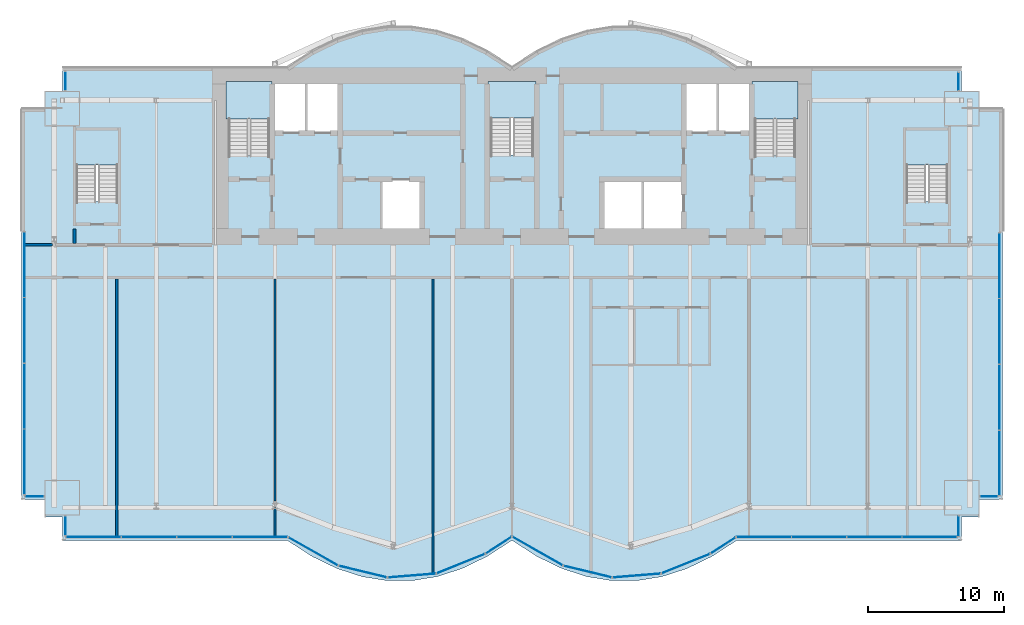
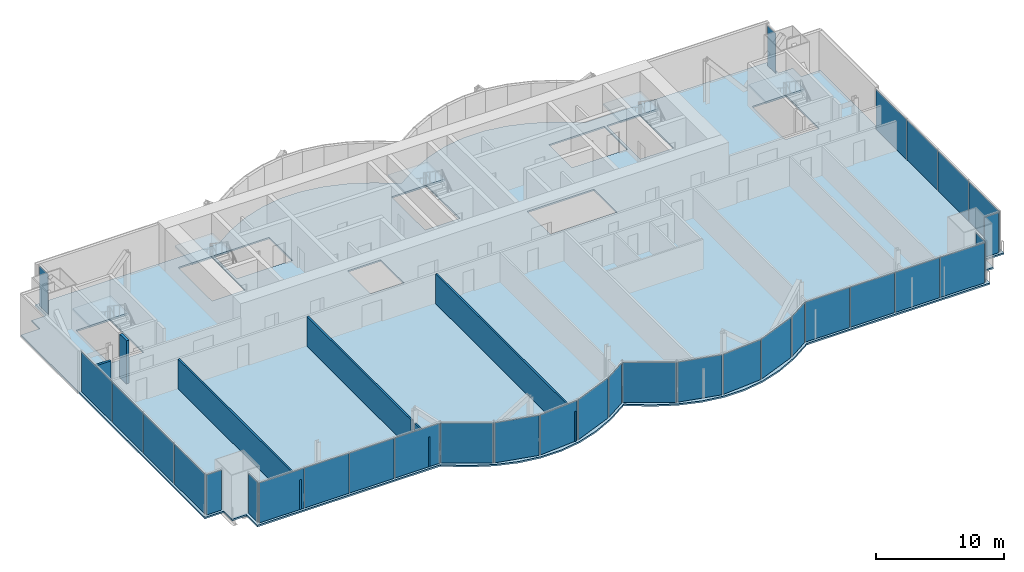
# One storey, part 14 of 21: 32 plates, 6 slabs, 6 walls, 17 elements without a shape of their own.
"""IFC4 building model written with IfcOpenShell, lengths in metres."""

import ifcopenshell
import ifcopenshell.guid

model = None  # the IFC model being written
_history = None  # IfcOwnerHistory: only IFC2X3 demands one
_inside = {}  # id of a spatial element -> (the spatial element, [elements in it])
_under = {}  # id of a project, library or spatial element -> (it, [spatial elements below it])
_declared = {}  # id of a project -> (the project, [libraries it declares])
_typed = {}  # id of a type object -> (the type object, [elements of that type])
_made_of = {}  # id of a material, layer set ... -> (it, [elements and type objects made of it])


def new_model(schema):
    """Start an empty IFC model of exactly this schema.

    Asked for "IFC4X3", IfcOpenShell would pick the latest addendum, in which some entities
    have other attributes; the version numbers below select the first issue.
    IFC2X3 requires an IfcOwnerHistory on every rooted entity: one is made here for all.
    """
    global model, _history
    if schema == "IFC4X3":
        model = ifcopenshell.file(schema_version=(4, 3, 0, 0))
    else:
        model = ifcopenshell.file(schema=schema)
    _inside.clear()
    _under.clear()
    _declared.clear()
    _typed.clear()
    _made_of.clear()
    _history = None
    if model.schema == "IFC2X3":
        org = make("IfcOrganization", Name="unknown")
        user = make(
            "IfcPersonAndOrganization",
            ThePerson=make("IfcPerson", FamilyName="unknown"),
            TheOrganization=org,
        )
        app = make(
            "IfcApplication",
            ApplicationDeveloper=org,
            Version="unknown",
            ApplicationFullName="unknown",
            ApplicationIdentifier="unknown",
        )
        _history = make(
            "IfcOwnerHistory",
            OwningUser=user,
            OwningApplication=app,
            ChangeAction="ADDED",
            CreationDate=0,
        )
    return model


def make(cls, **values):
    """One entity of the class cls with the attributes given. An attribute that is None is left unset."""
    return model.create_entity(
        cls, **{name: value for name, value in values.items() if value is not None}
    )


def rooted(cls, **values):
    """An entity with a GlobalId (a new one), such as an element, a storey or a relation."""
    return make(cls, GlobalId=ifcopenshell.guid.new(), OwnerHistory=_history, **values)


def si_unit(unit_type, name, prefix=None):
    """IfcSIUnit, for example si_unit("LENGTHUNIT", "METRE", prefix="MILLI")."""
    return make("IfcSIUnit", UnitType=unit_type, Prefix=prefix, Name=name)


def assignment(units):
    """IfcUnitAssignment: the units of a project."""
    return None if units is None else make("IfcUnitAssignment", Units=units)


def point(xyz):
    """IfcCartesianPoint."""
    return None if xyz is None else make("IfcCartesianPoint", Coordinates=xyz)


def direction(xyz):
    """IfcDirection."""
    return None if xyz is None else make("IfcDirection", DirectionRatios=xyz)


def frame(location, z_axis=None, x_axis=None):
    """IfcAxis2Placement3D, a coordinate frame: its origin and axes. An axis left out is left unset."""
    return make(
        "IfcAxis2Placement3D",
        Location=point(location),
        Axis=direction(z_axis),
        RefDirection=direction(x_axis),
    )


def frame_2d(location, x_axis=None):
    """IfcAxis2Placement2D, a coordinate frame in the plane: its origin and x axis."""
    return make(
        "IfcAxis2Placement2D", Location=point(location), RefDirection=direction(x_axis)
    )


def origin():
    """The frame at (0, 0, 0) with its axes left unset."""
    return frame((0.0, 0.0, 0.0))


def origin_2d():
    """The frame at (0, 0) in the plane with its x axis left unset."""
    return frame_2d((0.0, 0.0))


def place(relative_to, where):
    """IfcLocalPlacement: puts the frame where relative to a parent placement (None: the world)."""
    return make(
        "IfcLocalPlacement", PlacementRelTo=relative_to, RelativePlacement=where
    )


def context(
    kind, dimensions, precision=None, world=None, true_north=None, identifier=None
):
    """IfcGeometricRepresentationContext, for example the 3D "Model" context."""
    return make(
        "IfcGeometricRepresentationContext",
        ContextIdentifier=identifier,
        ContextType=kind,
        CoordinateSpaceDimension=dimensions,
        Precision=precision,
        WorldCoordinateSystem=world,
        TrueNorth=true_north,
    )


def subcontext(parent, identifier, kind, view, scale=None):
    """IfcGeometricRepresentationSubContext, for example "Body" below "Model"."""
    return make(
        "IfcGeometricRepresentationSubContext",
        ContextIdentifier=identifier,
        ContextType=kind,
        ParentContext=parent,
        TargetScale=scale,
        TargetView=view,
    )


def project(units=None, contexts=None):
    """IfcProject with its units and contexts."""
    return rooted(
        "IfcProject",
        Name="project",
        RepresentationContexts=contexts,
        UnitsInContext=assignment(units),
    )


def spatial(cls, under=None, at=None, **own):
    """A site, building, storey or space (cls), placed at a placement, below another one or the project."""
    s = rooted(cls, ObjectPlacement=at, **own)
    if under is not None:
        _under.setdefault(under.id(), (under, []))[1].append(s)
    return s


def polyline(points):
    """IfcPolyline through the points."""
    return make("IfcPolyline", Points=[point(p) for p in points])


def profile(cls, at=None, kind="AREA", **sizes):
    """A parametric profile (cls). Its sizes go by their IFC names, for example OverallWidth=200.0."""
    return make(cls, ProfileType=kind, Position=at, **sizes)


def rectangle(**sizes):
    """IfcRectangleProfileDef."""
    return profile("IfcRectangleProfileDef", **sizes)


def outline(outer, holes=None, kind="AREA"):
    """IfcArbitraryClosedProfileDef: a profile drawn as a closed curve; with holes, ...WithVoids."""
    if holes is None:
        return make("IfcArbitraryClosedProfileDef", ProfileType=kind, OuterCurve=outer)
    return make(
        "IfcArbitraryProfileDefWithVoids",
        ProfileType=kind,
        OuterCurve=outer,
        InnerCurves=holes,
    )


def extrude(swept, where, along, depth):
    """IfcExtrudedAreaSolid: the profile swept, set in the frame where, extruded along a direction by depth."""
    return make(
        "IfcExtrudedAreaSolid",
        SweptArea=swept,
        Position=where,
        ExtrudedDirection=direction(along),
        Depth=depth,
    )


def shape(context_of_items, identifier, shape_type, items):
    """IfcShapeRepresentation: the items that make up one representation, for example the "Body"."""
    return make(
        "IfcShapeRepresentation",
        ContextOfItems=context_of_items,
        RepresentationIdentifier=identifier,
        RepresentationType=shape_type,
        Items=items,
    )


def material(Name=None, Category=None):
    """IfcMaterial."""
    return make("IfcMaterial", Name=Name, Category=Category)


def layer(
    of_material, thickness, ventilated=None, Name=None, Category=None, Priority=None
):
    """IfcMaterialLayer: one layer of a wall or slab, of a material (None: an air gap)."""
    return make(
        "IfcMaterialLayer",
        Material=of_material,
        LayerThickness=thickness,
        IsVentilated=ventilated,
        Name=Name,
        Category=Category,
        Priority=Priority,
    )


def layer_set(layers, Name=None):
    """IfcMaterialLayerSet."""
    return make("IfcMaterialLayerSet", MaterialLayers=layers, LayerSetName=Name)


def made_of(thing, what):
    """Note that an element or type object is made of a material, layer set ...; save() writes the relation."""
    if what is not None:
        _made_of.setdefault(what.id(), (what, []))[1].append(thing)
    return thing


def type_object(cls, material=None, **own):
    """A type object (cls), such as IfcWallType, which elements share."""
    return made_of(rooted(cls, **own), material)


def element(
    cls,
    number,
    at=None,
    inside=None,
    cuts=None,
    type_object=None,
    material=None,
    context=None,
    identifier="Body",
    shape_type=None,
    held_by="IfcProductDefinitionShape",
    body=None,
    shapes=None,
    **own,
):
    """One element of the class cls, such as IfcWall. Its Tag is "e" and its number.

    at: its placement. inside: the storey or other place that contains it. cuts: it is an
    opening in that element (IfcRelVoidsElement). A single representation is given by context,
    identifier, shape_type and body (its items); several are given by shapes. held_by: the class
    of the entity that holds the representations. save() writes the other relations.
    """
    e = rooted(cls, Tag="e%d" % number, ObjectPlacement=at, **own)
    if body is not None:
        shapes = [shape(context, identifier, shape_type, body)]
    if shapes is not None:
        e.Representation = make(held_by, Representations=shapes)
    if inside is not None:
        _inside.setdefault(inside.id(), (inside, []))[1].append(e)
    if cuts is not None:
        rooted(
            "IfcRelVoidsElement", RelatingBuildingElement=cuts, RelatedOpeningElement=e
        )
    if type_object is not None:
        _typed.setdefault(type_object.id(), (type_object, []))[1].append(e)
    return made_of(e, material)


def aggregate(whole, parts):
    """IfcRelAggregates: a whole, such as a stair, and the parts it consists of."""
    return rooted("IfcRelAggregates", RelatingObject=whole, RelatedObjects=parts)


def save(model, path):
    """Write the relations noted so far, then the file.

    IfcRelAggregates (storeys below a building ...), IfcRelContainedInSpatialStructure (elements
    in a storey), IfcRelDefinesByType, IfcRelAssociatesMaterial and IfcRelDeclares: one each for
    every whole, place, type object, material and project.
    """
    for whole, parts in _under.values():
        aggregate(whole, parts)
    for where, things in _inside.values():
        rooted(
            "IfcRelContainedInSpatialStructure",
            RelatedElements=things,
            RelatingStructure=where,
        )
    for kind, things in _typed.values():
        rooted("IfcRelDefinesByType", RelatedObjects=things, RelatingType=kind)
    for what, things in _made_of.values():
        rooted("IfcRelAssociatesMaterial", RelatedObjects=things, RelatingMaterial=what)
    for by, libraries in _declared.values():
        rooted("IfcRelDeclares", RelatingContext=by, RelatedDefinitions=libraries)
    model.write(path)


model = new_model("IFC4")

# Units and contexts
model_context = context("Model", 3, precision=1e-05, world=origin(), true_north=direction((0.0, 1.0)))
body_context = subcontext(model_context, "Body", "Model", "MODEL_VIEW")
ifc_project = project(units=[si_unit("LENGTHUNIT", "METRE"), si_unit("AREAUNIT", "SQUARE_METRE"), si_unit("VOLUMEUNIT", "CUBIC_METRE"), si_unit("PLANEANGLEUNIT", "RADIAN"), si_unit("MASSUNIT", "GRAM", prefix="KILO")], contexts=[model_context])

# Site, building, storey
site_placement = place(None, origin())
site = spatial("IfcSite", under=ifc_project, at=site_placement, CompositionType="ELEMENT")
building_placement = place(site_placement, origin())
building = spatial("IfcBuilding", under=site, at=building_placement, Name="Bicima Exchange Tower", CompositionType="ELEMENT")
storey_placement = place(building_placement, frame((0.0, 0.0, 165.0)))
storey = spatial("IfcBuildingStorey", under=building, at=storey_placement, Name="L36", CompositionType="ELEMENT", Elevation=165.0)

# Slab
ifc_material_1 = material(Name="Concrete C40/50", Category="concrete")
ifc_layer_1 = layer(ifc_material_1, 0.14990234375)
ifc_layer_set_1 = layer_set([ifc_layer_1], Name="Concrete C40/50")
slab_type_1 = type_object("IfcSlabType", Name="Composite floor slab 150", PredefinedType="FLOOR", material=ifc_layer_set_1)
slab_1_placement = place(storey_placement, frame((0.0, 0.0, -0.14990234375)))
element("IfcSlab", 1, at=slab_1_placement, inside=storey, type_object=slab_type_1, Name="Floor slab", PredefinedType="FLOOR", context=body_context, shape_type="SweptSolid", body=[
    extrude(outline(polyline([(-36.0, -31.679931640625), (-36.0, -3.0), (-34.300048828125, -3.0), (-34.300048828125, -1.699951171875), (-33.0, -1.699951171875), (-33.0, 0.0), (-16.5, 0.0), (-14.666748046875, 1.185302734375), (-12.833251953125, 2.07421875), (-11.0, 2.666748046875), (-9.166748046875, 2.962890625), (-7.333251953125, 2.962890625), (-5.5, 2.666748046875), (-3.666748046875, 2.07421875), (-1.833251953125, 1.185302734375), (0.0, 0.0), (1.833251953125, 1.185302734375), (3.666748046875, 2.07421875), (5.5, 2.666748046875), (7.333251953125, 2.962890625), (9.166748046875, 2.962890625), (11.0, 2.666748046875), (12.833251953125, 2.07421875), (14.666748046875, 1.185302734375), (16.5, 0.0), (33.0, 0.0), (33.0, -1.699951171875), (34.300048828125, -1.699951171875), (34.300048828125, -3.0), (36.0, -3.0), (36.0, -31.679931640625), (34.300048828125, -31.679931640625), (34.300048828125, -32.97998046875), (33.0, -32.97998046875), (33.0, -34.679931640625), (16.5, -34.679931640625), (14.666748046875, -35.865234375), (12.833251953125, -36.754150390625), (11.0, -37.3466796875), (9.166748046875, -37.64306640625), (7.333251953125, -37.64306640625), (5.5, -37.3466796875), (3.666748046875, -36.754150390625), (1.833251953125, -35.865234375), (0.0, -34.679931640625), (-1.833251953125, -35.865234375), (-3.666748046875, -36.754150390625), (-5.5, -37.3466796875), (-7.333251953125, -37.64306640625), (-9.166748046875, -37.64306640625), (-11.0, -37.3466796875), (-12.833251953125, -36.754150390625), (-14.666748046875, -35.865234375), (-16.5, -34.679931640625), (-33.0, -34.679931640625), (-33.0, -32.97998046875), (-34.300048828125, -32.97998046875), (-34.300048828125, -31.679931640625), (-36.0, -31.679931640625)]), holes=[polyline([(-6.60009765625, -11.800048828125), (-6.60009765625, -8.199951171875), (-9.60009765625, -8.199951171875), (-9.60009765625, -11.800048828125), (-6.60009765625, -11.800048828125)]), polyline([(-31.97509765625, -9.824951171875), (-28.925048828125, -9.824951171875), (-28.925048828125, -4.625), (-31.97509765625, -4.625), (-31.97509765625, -9.824951171875)]), polyline([(-20.800048828125, -6.449951171875), (-17.800048828125, -6.449951171875), (-17.800048828125, -1.199951171875), (-20.800048828125, -1.199951171875), (-20.800048828125, -6.449951171875)]), polyline([(1.574951171875, -6.39990234375), (1.574951171875, -1.199951171875), (-1.574951171875, -1.199951171875), (-1.574951171875, -6.39990234375), (1.574951171875, -6.39990234375)]), polyline([(-12.60009765625, -4.800048828125), (-12.60009765625, -1.199951171875), (-15.10009765625, -1.199951171875), (-17.60009765625, -1.199951171875), (-17.60009765625, -4.800048828125), (-15.10009765625, -4.800048828125), (-12.60009765625, -4.800048828125)]), polyline([(12.60009765625, -8.199951171875), (9.60009765625, -8.199951171875), (6.60009765625, -8.199951171875), (6.60009765625, -11.800048828125), (9.60009765625, -11.800048828125), (12.60009765625, -11.800048828125), (12.60009765625, -8.199951171875)]), polyline([(28.925048828125, -9.824951171875), (31.97509765625, -9.824951171875), (31.97509765625, -4.625), (28.925048828125, -4.625), (28.925048828125, -9.824951171875)]), polyline([(20.800048828125, -6.449951171875), (20.800048828125, -1.199951171875), (17.800048828125, -1.199951171875), (17.800048828125, -6.449951171875), (20.800048828125, -6.449951171875)]), polyline([(17.60009765625, -4.800048828125), (17.60009765625, -1.199951171875), (15.10009765625, -1.199951171875), (12.60009765625, -1.199951171875), (12.60009765625, -4.800048828125), (15.10009765625, -4.800048828125), (17.60009765625, -4.800048828125)])]), origin(), (0.0, 0.0, 1.0), 0.14990234375),
])

# Curtain wall, plates
ifc_material_2 = material(Name="Anodised bronze aluminium", Category="aluminium")
curtain_wall_type_1 = type_object("IfcCurtainWallType", Name="End face glass wall", PredefinedType="NOTDEFINED", material=ifc_material_2)
curtain_wall_1_placement = place(storey_placement, origin())
curtain_wall_1 = element("IfcCurtainWall", 2, at=curtain_wall_1_placement, inside=storey, type_object=curtain_wall_type_1, Name="End face glass wall L36 run 2", PredefinedType="NOTDEFINED")
ifc_material_3 = material(Name="Bronze tinted glass", Category="glass")
ifc_layer_2 = layer(ifc_material_3, 0.031982421875)
ifc_layer_set_2 = layer_set([ifc_layer_2], Name="Bronze tinted glass")
plate_type_1 = type_object("IfcPlateType", Name="End face glass wall glass panel 32", PredefinedType="CURTAIN_PANEL", material=ifc_layer_set_2)
plate_1_placement = place(storey_placement, frame((-35.77001953125, -24.098876953125, 0.0), z_axis=(0.0, 0.0, 1.0), x_axis=(0.0, -1.0, 0.0)))
plate_1 = element("IfcPlate", 3, at=plate_1_placement, type_object=plate_type_1, Name="End face glass wall panel 3.1", PredefinedType="CURTAIN_PANEL", context=body_context, shape_type="SweptSolid", body=[
    extrude(rectangle(XDim=4.767578125, YDim=0.031982421875, at=origin_2d()), origin(), (0.0, 0.0, 1.0), 3.81005859375),
])
plate_2_placement = place(storey_placement, frame((-35.77001953125, -28.92626953125, 0.0), z_axis=(0.0, 0.0, 1.0), x_axis=(0.0, -1.0, 0.0)))
plate_2 = element("IfcPlate", 4, at=plate_2_placement, type_object=plate_type_1, Name="End face glass wall panel 4.1", PredefinedType="CURTAIN_PANEL", context=body_context, shape_type="SweptSolid", body=[
    extrude(rectangle(XDim=4.767578125, YDim=0.031982421875, at=origin_2d()), origin(), (0.0, 0.0, 1.0), 3.81005859375),
])

curtain_wall_2_placement = place(storey_placement, origin())
curtain_wall_2 = element("IfcCurtainWall", 5, at=curtain_wall_2_placement, inside=storey, type_object=curtain_wall_type_1, Name="End face glass wall L36 run 19", PredefinedType="NOTDEFINED")
plate_3_placement = place(storey_placement, frame((35.77001953125, -29.00634765625, 0.0), z_axis=(0.0, 0.0, 1.0), x_axis=(0.0, 1.0, 0.0)))
plate_3 = element("IfcPlate", 6, at=plate_3_placement, type_object=plate_type_1, Name="End face glass wall panel 1.1", PredefinedType="CURTAIN_PANEL", context=body_context, shape_type="SweptSolid", body=[
    extrude(rectangle(XDim=4.767578125, YDim=0.031982421875, at=origin_2d()), origin(), (0.0, 0.0, 1.0), 3.81005859375),
])
plate_4_placement = place(storey_placement, frame((35.77001953125, -24.1787109375, 0.0), z_axis=(0.0, 0.0, 1.0), x_axis=(0.0, 1.0, 0.0)))
plate_4 = element("IfcPlate", 7, at=plate_4_placement, type_object=plate_type_1, Name="End face glass wall panel 2.1", PredefinedType="CURTAIN_PANEL", context=body_context, shape_type="SweptSolid", body=[
    extrude(rectangle(XDim=4.767578125, YDim=0.031982421875, at=origin_2d()), origin(), (0.0, 0.0, 1.0), 3.81005859375),
])

# Plate
ifc_material_4 = material(Name="Bronze anodised aluminium", Category="aluminium")
ifc_layer_3 = layer(ifc_material_4, 0.031982421875)
ifc_layer_set_3 = layer_set([ifc_layer_3], Name="Bronze anodised aluminium")
plate_type_2 = type_object("IfcPlateType", Name="End face glass wall spandrel panel 32", PredefinedType="CURTAIN_PANEL", material=ifc_layer_set_3)
plate_5_placement = place(storey_placement, frame((-35.77001953125, -14.443603515625, 0.0), z_axis=(0.0, 0.0, 1.0), x_axis=(0.0, -1.0, 0.0)))
plate_5 = element("IfcPlate", 8, at=plate_5_placement, type_object=plate_type_2, Name="End face spandrel wall panel 1.1", PredefinedType="CURTAIN_PANEL", context=body_context, shape_type="SweptSolid", body=[
    extrude(rectangle(XDim=4.767578125, YDim=0.031982421875, at=origin_2d()), origin(), (0.0, 0.0, 1.0), 3.81005859375),
])

plate_6_placement = place(storey_placement, frame((-35.77001953125, -19.271240234375, 0.0), z_axis=(0.0, 0.0, 1.0), x_axis=(0.0, -1.0, 0.0)))
plate_6 = element("IfcPlate", 9, at=plate_6_placement, type_object=plate_type_2, Name="End face spandrel wall panel 2.1", PredefinedType="CURTAIN_PANEL", context=body_context, shape_type="SweptSolid", body=[
    extrude(rectangle(XDim=4.767578125, YDim=0.031982421875, at=origin_2d()), origin(), (0.0, 0.0, 1.0), 3.81005859375),
])

aggregate(curtain_wall_1, [plate_5, plate_6, plate_1, plate_2])

plate_7_placement = place(storey_placement, frame((35.77001953125, -19.351318359375, 0.0), z_axis=(0.0, 0.0, 1.0), x_axis=(0.0, 1.0, 0.0)))
plate_7 = element("IfcPlate", 10, at=plate_7_placement, type_object=plate_type_2, Name="End face spandrel wall panel 3.1", PredefinedType="CURTAIN_PANEL", context=body_context, shape_type="SweptSolid", body=[
    extrude(rectangle(XDim=4.767578125, YDim=0.031982421875, at=origin_2d()), origin(), (0.0, 0.0, 1.0), 3.81005859375),
])

plate_8_placement = place(storey_placement, frame((35.77001953125, -14.523681640625, 0.0), z_axis=(0.0, 0.0, 1.0), x_axis=(0.0, 1.0, 0.0)))
plate_8 = element("IfcPlate", 11, at=plate_8_placement, type_object=plate_type_2, Name="End face spandrel wall panel 4.1", PredefinedType="CURTAIN_PANEL", context=body_context, shape_type="SweptSolid", body=[
    extrude(rectangle(XDim=4.767578125, YDim=0.031982421875, at=origin_2d()), origin(), (0.0, 0.0, 1.0), 3.81005859375),
])

aggregate(curtain_wall_2, [plate_3, plate_4, plate_7, plate_8])

# Curtain wall, plate
curtain_wall_type_2 = type_object("IfcCurtainWallType", Name="Front glass wall", PredefinedType="NOTDEFINED", material=ifc_material_2)
curtain_wall_3_placement = place(storey_placement, origin())
curtain_wall_3 = element("IfcCurtainWall", 12, at=curtain_wall_3_placement, inside=storey, type_object=curtain_wall_type_2, Name="Front glass wall L36 run 1", PredefinedType="NOTDEFINED")
ifc_layer_4 = layer(ifc_material_3, 0.031982421875)
ifc_layer_set_4 = layer_set([ifc_layer_4], Name="Bronze tinted glass")
plate_type_3 = type_object("IfcPlateType", Name="Front glass wall glass panel 32", PredefinedType="CURTAIN_PANEL", material=ifc_layer_set_4)
plate_9_placement = place(storey_placement, frame((-32.77001953125, -0.965087890625, 0.0), z_axis=(0.0, 0.0, 1.0), x_axis=(0.0, -1.0, 0.0)))
plate_9 = element("IfcPlate", 13, at=plate_9_placement, type_object=plate_type_3, Name="Front glass wall panel 1.1", PredefinedType="CURTAIN_PANEL", context=body_context, shape_type="SweptSolid", body=[
    extrude(rectangle(XDim=1.35009765625, YDim=0.031982421875, at=origin_2d()), origin(), (0.0, 0.0, 1.0), 3.81005859375),
])
aggregate(curtain_wall_3, [plate_9])

curtain_wall_4_placement = place(storey_placement, origin())
curtain_wall_4 = element("IfcCurtainWall", 14, at=curtain_wall_4_placement, inside=storey, type_object=curtain_wall_type_2, Name="Front glass wall L36 run 3", PredefinedType="NOTDEFINED")
plate_10_placement = place(storey_placement, frame((-35.034912109375, -31.449951171875, 0.0), z_axis=(0.0, 0.0, 1.0), x_axis=(1.0, 0.0, 0.0)))
plate_10 = element("IfcPlate", 15, at=plate_10_placement, type_object=plate_type_3, Name="Front glass wall panel 1.1", PredefinedType="CURTAIN_PANEL", context=body_context, shape_type="SweptSolid", body=[
    extrude(rectangle(XDim=1.35009765625, YDim=0.031982421875, at=origin_2d()), origin(), (0.0, 0.0, 1.0), 3.81005859375),
])
aggregate(curtain_wall_4, [plate_10])

curtain_wall_5_placement = place(storey_placement, origin())
curtain_wall_5 = element("IfcCurtainWall", 16, at=curtain_wall_5_placement, inside=storey, type_object=curtain_wall_type_2, Name="Front glass wall L36 run 4", PredefinedType="NOTDEFINED")
plate_11_placement = place(storey_placement, frame((-32.77001953125, -33.614013671875, 0.0), z_axis=(0.0, 0.0, 1.0), x_axis=(0.0, -1.0, 0.0)))
plate_11 = element("IfcPlate", 17, at=plate_11_placement, type_object=plate_type_3, Name="Front glass wall panel 1.1", PredefinedType="CURTAIN_PANEL", context=body_context, shape_type="SweptSolid", body=[
    extrude(rectangle(XDim=1.39208984375, YDim=0.031982421875, at=origin_2d()), origin(), (0.0, 0.0, 1.0), 3.81005859375),
])
aggregate(curtain_wall_5, [plate_11])

# Curtain wall, plates
curtain_wall_6_placement = place(storey_placement, origin())
curtain_wall_6 = element("IfcCurtainWall", 18, at=curtain_wall_6_placement, inside=storey, type_object=curtain_wall_type_2, Name="Front glass wall L36 run 5", PredefinedType="NOTDEFINED")
plate_12_placement = place(storey_placement, frame((-30.705322265625, -34.449951171875, 0.0), z_axis=(0.0, 0.0, 1.0), x_axis=(1.0, 0.0, 0.0)))
plate_12 = element("IfcPlate", 19, at=plate_12_placement, type_object=plate_type_3, Name="Front glass wall panel 1.1", PredefinedType="CURTAIN_PANEL", context=body_context, shape_type="SweptSolid", body=[
    extrude(rectangle(XDim=4.009521484375, YDim=0.031982421875, at=origin_2d()), origin(), (0.0, 0.0, 1.0), 3.81005859375),
])
plate_13_placement = place(storey_placement, frame((-26.6357421875, -34.449951171875, 0.0), z_axis=(0.0, 0.0, 1.0), x_axis=(1.0, 0.0, 0.0)))
plate_13 = element("IfcPlate", 20, at=plate_13_placement, type_object=plate_type_3, Name="Front glass wall panel 2.1", PredefinedType="CURTAIN_PANEL", context=body_context, shape_type="SweptSolid", body=[
    extrude(rectangle(XDim=4.009521484375, YDim=0.031982421875, at=origin_2d()), origin(), (0.0, 0.0, 1.0), 3.81005859375),
])
plate_14_placement = place(storey_placement, frame((-22.56640625, -34.449951171875, 0.0), z_axis=(0.0, 0.0, 1.0), x_axis=(1.0, 0.0, 0.0)))
plate_14 = element("IfcPlate", 21, at=plate_14_placement, type_object=plate_type_3, Name="Front glass wall panel 3.1", PredefinedType="CURTAIN_PANEL", context=body_context, shape_type="SweptSolid", body=[
    extrude(rectangle(XDim=4.009521484375, YDim=0.031982421875, at=origin_2d()), origin(), (0.0, 0.0, 1.0), 3.81005859375),
])
plate_15_placement = place(storey_placement, frame((-18.496826171875, -34.449951171875, 0.0), z_axis=(0.0, 0.0, 1.0), x_axis=(1.0, 0.0, 0.0)))
plate_15 = element("IfcPlate", 22, at=plate_15_placement, type_object=plate_type_3, Name="Front glass wall panel 4.1", PredefinedType="CURTAIN_PANEL", context=body_context, shape_type="SweptSolid", body=[
    extrude(rectangle(XDim=4.009521484375, YDim=0.031982421875, at=origin_2d()), origin(), (0.0, 0.0, 1.0), 3.81005859375),
])
aggregate(curtain_wall_6, [plate_12, plate_13, plate_14, plate_15])

curtain_wall_7_placement = place(storey_placement, origin())
curtain_wall_7 = element("IfcCurtainWall", 23, at=curtain_wall_7_placement, inside=storey, type_object=curtain_wall_type_2, Name="Front glass wall L36 run 6", PredefinedType="NOTDEFINED")
plate_16_placement = place(storey_placement, frame((-10.94775390625, -36.9765625, 0.0), z_axis=(0.0, 0.0, 1.0), x_axis=(0.971830343553, -0.235681529503, 0.0)))
plate_16 = element("IfcPlate", 24, at=plate_16_placement, type_object=plate_type_3, Name="Front glass wall panel 1.1", PredefinedType="CURTAIN_PANEL", context=body_context, shape_type="SweptSolid", body=[
    extrude(rectangle(XDim=3.583251953125, YDim=0.031982421875, at=origin_2d()), origin(), (0.0, 0.0, 1.0), 3.81005859375),
])
plate_17_placement = place(storey_placement, frame((-7.35107421875, -37.267578125, 0.0), z_axis=(0.0, 0.0, 1.0), x_axis=(0.99674744821, 0.080588612633, 0.0)))
plate_17 = element("IfcPlate", 25, at=plate_17_placement, type_object=plate_type_3, Name="Front glass wall panel 1.1", PredefinedType="CURTAIN_PANEL", context=body_context, shape_type="SweptSolid", body=[
    extrude(rectangle(XDim=3.486083984375, YDim=0.031982421875, at=origin_2d()), origin(), (0.0, 0.0, 1.0), 3.81005859375),
])
plate_18_placement = place(storey_placement, frame((-3.750244140625, -36.393310546875, 0.0), z_axis=(0.0, 0.0, 1.0), x_axis=(0.92714396679, 0.374705304, 0.0)))
plate_18 = element("IfcPlate", 26, at=plate_18_placement, type_object=plate_type_3, Name="Front glass wall panel 1.1", PredefinedType="CURTAIN_PANEL", context=body_context, shape_type="SweptSolid", body=[
    extrude(rectangle(XDim=3.771240234375, YDim=0.031982421875, at=origin_2d()), origin(), (0.0, 0.0, 1.0), 3.81005859375),
])
plate_19_placement = place(storey_placement, frame((-0.97314453125, -35.03515625, 0.0), z_axis=(0.0, 0.0, 1.0), x_axis=(0.839798994301, 0.542897457326, 0.0)))
plate_19 = element("IfcPlate", 27, at=plate_19_placement, type_object=plate_type_3, Name="Front glass wall panel 1.1", PredefinedType="CURTAIN_PANEL", context=body_context, shape_type="SweptSolid", body=[
    extrude(rectangle(XDim=2.197509765625, YDim=0.031982421875, at=origin_2d()), origin(), (0.0, 0.0, 1.0), 3.81005859375),
])

curtain_wall_8_placement = place(storey_placement, origin())
curtain_wall_8 = element("IfcCurtainWall", 28, at=curtain_wall_8_placement, inside=storey, type_object=curtain_wall_type_2, Name="Front glass wall L36 run 11", PredefinedType="NOTDEFINED")
plate_20_placement = place(storey_placement, frame((1.876220703125, -35.47314453125, 0.0), z_axis=(0.0, 0.0, 1.0), x_axis=(0.869274147378, -0.494330311331, 0.0)))
plate_20 = element("IfcPlate", 29, at=plate_20_placement, type_object=plate_type_3, Name="Front glass wall panel 1.1", PredefinedType="CURTAIN_PANEL", context=body_context, shape_type="SweptSolid", body=[
    extrude(rectangle(XDim=4.197021484375, YDim=0.031982421875, at=origin_2d()), origin(), (0.0, 0.0, 1.0), 3.81005859375),
])
plate_21_placement = place(storey_placement, frame((5.55224609375, -36.9765625, 0.0), z_axis=(0.0, 0.0, 1.0), x_axis=(0.971830343553, -0.235681529503, 0.0)))
plate_21 = element("IfcPlate", 30, at=plate_21_placement, type_object=plate_type_3, Name="Front glass wall panel 1.1", PredefinedType="CURTAIN_PANEL", context=body_context, shape_type="SweptSolid", body=[
    extrude(rectangle(XDim=3.583251953125, YDim=0.031982421875, at=origin_2d()), origin(), (0.0, 0.0, 1.0), 3.81005859375),
])
plate_22_placement = place(storey_placement, frame((9.14892578125, -37.267578125, 0.0), z_axis=(0.0, 0.0, 1.0), x_axis=(0.99674744821, 0.080588612633, 0.0)))
plate_22 = element("IfcPlate", 31, at=plate_22_placement, type_object=plate_type_3, Name="Front glass wall panel 1.1", PredefinedType="CURTAIN_PANEL", context=body_context, shape_type="SweptSolid", body=[
    extrude(rectangle(XDim=3.486083984375, YDim=0.031982421875, at=origin_2d()), origin(), (0.0, 0.0, 1.0), 3.81005859375),
])
plate_23_placement = place(storey_placement, frame((15.492919921875, -35.05712890625, 0.0), z_axis=(0.0, 0.0, 1.0), x_axis=(0.839791413941, 0.542909183079, 0.0)))
plate_23 = element("IfcPlate", 32, at=plate_23_placement, type_object=plate_type_3, Name="Front glass wall panel 1.1", PredefinedType="CURTAIN_PANEL", context=body_context, shape_type="SweptSolid", body=[
    extrude(rectangle(XDim=2.11669921875, YDim=0.031982421875, at=origin_2d()), origin(), (0.0, 0.0, 1.0), 3.81005859375),
])

curtain_wall_9_placement = place(storey_placement, origin())
curtain_wall_9 = element("IfcCurtainWall", 33, at=curtain_wall_9_placement, inside=storey, type_object=curtain_wall_type_2, Name="Front glass wall L36 run 16", PredefinedType="NOTDEFINED")
plate_24_placement = place(storey_placement, frame((18.48681640625, -34.449951171875, 0.0), z_axis=(0.0, 0.0, 1.0), x_axis=(1.0, 0.0, 0.0)))
plate_24 = element("IfcPlate", 34, at=plate_24_placement, type_object=plate_type_3, Name="Front glass wall panel 1.1", PredefinedType="CURTAIN_PANEL", context=body_context, shape_type="SweptSolid", body=[
    extrude(rectangle(XDim=3.989501953125, YDim=0.031982421875, at=origin_2d()), origin(), (0.0, 0.0, 1.0), 3.81005859375),
])
plate_25_placement = place(storey_placement, frame((22.536376953125, -34.449951171875, 0.0), z_axis=(0.0, 0.0, 1.0), x_axis=(1.0, 0.0, 0.0)))
plate_25 = element("IfcPlate", 35, at=plate_25_placement, type_object=plate_type_3, Name="Front glass wall panel 2.1", PredefinedType="CURTAIN_PANEL", context=body_context, shape_type="SweptSolid", body=[
    extrude(rectangle(XDim=3.989501953125, YDim=0.031982421875, at=origin_2d()), origin(), (0.0, 0.0, 1.0), 3.81005859375),
])
plate_26_placement = place(storey_placement, frame((26.585693359375, -34.449951171875, 0.0), z_axis=(0.0, 0.0, 1.0), x_axis=(1.0, 0.0, 0.0)))
plate_26 = element("IfcPlate", 36, at=plate_26_placement, type_object=plate_type_3, Name="Front glass wall panel 3.1", PredefinedType="CURTAIN_PANEL", context=body_context, shape_type="SweptSolid", body=[
    extrude(rectangle(XDim=3.989501953125, YDim=0.031982421875, at=origin_2d()), origin(), (0.0, 0.0, 1.0), 3.81005859375),
])
plate_27_placement = place(storey_placement, frame((30.63525390625, -34.449951171875, 0.0), z_axis=(0.0, 0.0, 1.0), x_axis=(1.0, 0.0, 0.0)))
plate_27 = element("IfcPlate", 37, at=plate_27_placement, type_object=plate_type_3, Name="Front glass wall panel 4.1", PredefinedType="CURTAIN_PANEL", context=body_context, shape_type="SweptSolid", body=[
    extrude(rectangle(XDim=3.989501953125, YDim=0.031982421875, at=origin_2d()), origin(), (0.0, 0.0, 1.0), 3.81005859375),
])
aggregate(curtain_wall_9, [plate_24, plate_25, plate_26, plate_27])

# Curtain wall, plate
curtain_wall_10_placement = place(storey_placement, origin())
curtain_wall_10 = element("IfcCurtainWall", 38, at=curtain_wall_10_placement, inside=storey, type_object=curtain_wall_type_2, Name="Front glass wall L36 run 17", PredefinedType="NOTDEFINED")
plate_28_placement = place(storey_placement, frame((32.77001953125, -33.654052734375, 0.0), z_axis=(0.0, 0.0, 1.0), x_axis=(0.0, 1.0, 0.0)))
plate_28 = element("IfcPlate", 39, at=plate_28_placement, type_object=plate_type_3, Name="Front glass wall panel 1.1", PredefinedType="CURTAIN_PANEL", context=body_context, shape_type="SweptSolid", body=[
    extrude(rectangle(XDim=1.471923828125, YDim=0.031982421875, at=origin_2d()), origin(), (0.0, 0.0, 1.0), 3.81005859375),
])
aggregate(curtain_wall_10, [plate_28])

curtain_wall_11_placement = place(storey_placement, origin())
curtain_wall_11 = element("IfcCurtainWall", 40, at=curtain_wall_11_placement, inside=storey, type_object=curtain_wall_type_2, Name="Front glass wall L36 run 18", PredefinedType="NOTDEFINED")
plate_29_placement = place(storey_placement, frame((34.9951171875, -31.449951171875, 0.0), z_axis=(0.0, 0.0, 1.0), x_axis=(1.0, 0.0, 0.0)))
plate_29 = element("IfcPlate", 41, at=plate_29_placement, type_object=plate_type_3, Name="Front glass wall panel 1.1", PredefinedType="CURTAIN_PANEL", context=body_context, shape_type="SweptSolid", body=[
    extrude(rectangle(XDim=1.27001953125, YDim=0.031982421875, at=origin_2d()), origin(), (0.0, 0.0, 1.0), 3.81005859375),
])
aggregate(curtain_wall_11, [plate_29])

curtain_wall_12_placement = place(storey_placement, origin())
curtain_wall_12 = element("IfcCurtainWall", 42, at=curtain_wall_12_placement, inside=storey, type_object=curtain_wall_type_2, Name="Front glass wall L36 run 20", PredefinedType="NOTDEFINED")
plate_30_placement = place(storey_placement, frame((32.77001953125, -1.0048828125, 0.0), z_axis=(0.0, 0.0, 1.0), x_axis=(0.0, 1.0, 0.0)))
plate_30 = element("IfcPlate", 43, at=plate_30_placement, type_object=plate_type_3, Name="Front glass wall panel 1.1", PredefinedType="CURTAIN_PANEL", context=body_context, shape_type="SweptSolid", body=[
    extrude(rectangle(XDim=1.27001953125, YDim=0.031982421875, at=origin_2d()), origin(), (0.0, 0.0, 1.0), 3.81005859375),
])
aggregate(curtain_wall_12, [plate_30])

# Plate
ifc_layer_5 = layer(ifc_material_4, 0.031982421875)
ifc_layer_set_5 = layer_set([ifc_layer_5], Name="Bronze anodised aluminium")
plate_type_4 = type_object("IfcPlateType", Name="Front glass wall spandrel panel 32", PredefinedType="CURTAIN_PANEL", material=ifc_layer_set_5)
plate_31_placement = place(storey_placement, frame((-14.589599609375, -35.4951171875, 0.0), z_axis=(0.0, 0.0, 1.0), x_axis=(0.869805110681, -0.493395449343, 0.0)))
plate_31 = element("IfcPlate", 44, at=plate_31_placement, type_object=plate_type_4, Name="Front spandrel wall panel 1.1", PredefinedType="CURTAIN_PANEL", context=body_context, shape_type="SweptSolid", body=[
    extrude(rectangle(XDim=4.1162109375, YDim=0.031982421875, at=origin_2d()), origin(), (0.0, 0.0, 1.0), 3.81005859375),
])

aggregate(curtain_wall_7, [plate_31, plate_16, plate_17, plate_18, plate_19])

plate_32_placement = place(storey_placement, frame((12.749755859375, -36.393310546875, 0.0), z_axis=(0.0, 0.0, 1.0), x_axis=(0.92714396679, 0.374705304, 0.0)))
plate_32 = element("IfcPlate", 45, at=plate_32_placement, type_object=plate_type_4, Name="Front spandrel wall panel 1.1", PredefinedType="CURTAIN_PANEL", context=body_context, shape_type="SweptSolid", body=[
    extrude(rectangle(XDim=3.771240234375, YDim=0.031982421875, at=origin_2d()), origin(), (0.0, 0.0, 1.0), 3.81005859375),
])

aggregate(curtain_wall_8, [plate_20, plate_21, plate_22, plate_32, plate_23])

# Stair, slab
ifc_material_5 = material(Name="Concrete C50/60", Category="concrete")
stair_type_1 = type_object("IfcStairType", Name="Exit stair", PredefinedType="HALF_TURN_STAIR", material=ifc_material_5)
stair_1_placement = place(storey_placement, origin())
stair_1 = element("IfcStair", 46, at=stair_1_placement, inside=storey, type_object=stair_type_1, Name="L36 West exit stair", PredefinedType="HALF_TURN_STAIR")
ifc_layer_6 = layer(ifc_material_5, 0.199951171875)
ifc_layer_set_6 = layer_set([ifc_layer_6], Name="Concrete C50/60")
slab_type_2 = type_object("IfcSlabType", Name="Stair landing slab", PredefinedType="LANDING", material=ifc_layer_set_6)
slab_2_placement = place(storey_placement, frame((0.0, 0.0, 1.85009765625)))
slab_2 = element("IfcSlab", 47, at=slab_2_placement, type_object=slab_type_2, Name="ST-W landing 1", PredefinedType="LANDING", context=body_context, shape_type="SweptSolid", body=[
    extrude(outline(polyline([(-17.60009765625, -3.75), (-17.60009765625, -1.0), (-21.0, -1.0), (-21.0, -3.75), (-17.60009765625, -3.75)])), origin(), (0.0, 0.0, 1.0), 0.199951171875),
])
aggregate(stair_1, [slab_2])

stair_type_2 = type_object("IfcStairType", Name="Exit stair 1500", PredefinedType="HALF_TURN_STAIR", material=ifc_material_5)
stair_2_placement = place(storey_placement, origin())
stair_2 = element("IfcStair", 48, at=stair_2_placement, inside=storey, type_object=stair_type_2, Name="L36 Central exit stair", PredefinedType="HALF_TURN_STAIR")
slab_3_placement = place(storey_placement, frame((0.0, 0.0, 1.85009765625)))
slab_3 = element("IfcSlab", 49, at=slab_3_placement, type_object=slab_type_2, Name="ST-C landing 1", PredefinedType="LANDING", context=body_context, shape_type="SweptSolid", body=[
    extrude(outline(polyline([(1.77490234375, -3.699951171875), (1.77490234375, -1.0), (-1.77490234375, -1.0), (-1.77490234375, -3.699951171875), (1.77490234375, -3.699951171875)])), origin(), (0.0, 0.0, 1.0), 0.199951171875),
])
aggregate(stair_2, [slab_3])

stair_3_placement = place(storey_placement, origin())
stair_3 = element("IfcStair", 50, at=stair_3_placement, inside=storey, type_object=stair_type_1, Name="L36 East exit stair", PredefinedType="HALF_TURN_STAIR")
slab_4_placement = place(storey_placement, frame((0.0, 0.0, 1.85009765625)))
slab_4 = element("IfcSlab", 51, at=slab_4_placement, type_object=slab_type_2, Name="ST-E landing 1", PredefinedType="LANDING", context=body_context, shape_type="SweptSolid", body=[
    extrude(outline(polyline([(21.0, -3.75), (21.0, -1.0), (17.60009765625, -1.0), (17.60009765625, -3.75), (21.0, -3.75)])), origin(), (0.0, 0.0, 1.0), 0.199951171875),
])
aggregate(stair_3, [slab_4])

stair_4_placement = place(storey_placement, origin())
stair_4 = element("IfcStair", 52, at=stair_4_placement, inside=storey, type_object=stair_type_1, Name="L36 West end exit stair", PredefinedType="HALF_TURN_STAIR")
slab_5_placement = place(storey_placement, frame((0.0, 0.0, 1.85009765625)))
slab_5 = element("IfcSlab", 53, at=slab_5_placement, type_object=slab_type_2, Name="ST-WW landing 1", PredefinedType="LANDING", context=body_context, shape_type="SweptSolid", body=[
    extrude(outline(polyline([(-28.72509765625, -7.125), (-28.72509765625, -4.425048828125), (-32.175048828125, -4.425048828125), (-32.175048828125, -7.125), (-28.72509765625, -7.125)])), origin(), (0.0, 0.0, 1.0), 0.199951171875),
])
aggregate(stair_4, [slab_5])

stair_5_placement = place(storey_placement, origin())
stair_5 = element("IfcStair", 54, at=stair_5_placement, inside=storey, type_object=stair_type_1, Name="L36 East end exit stair", PredefinedType="HALF_TURN_STAIR")
slab_6_placement = place(storey_placement, frame((0.0, 0.0, 1.85009765625)))
slab_6 = element("IfcSlab", 55, at=slab_6_placement, type_object=slab_type_2, Name="ST-EE landing 1", PredefinedType="LANDING", context=body_context, shape_type="SweptSolid", body=[
    extrude(outline(polyline([(32.175048828125, -7.125), (32.175048828125, -4.425048828125), (28.72509765625, -4.425048828125), (28.72509765625, -7.125), (32.175048828125, -7.125)])), origin(), (0.0, 0.0, 1.0), 0.199951171875),
])
aggregate(stair_5, [slab_6])

# Walls
ifc_material_6 = material(Name="Gypsum board partition")
ifc_layer_7 = layer(ifc_material_6, 0.199951171875)
ifc_layer_set_7 = layer_set([ifc_layer_7], Name="Gypsum board partition")
wall_type_1 = type_object("IfcWallType", Name="Fire-rated gypsum partition 200 EI60", PredefinedType="PARTITIONING", material=ifc_layer_set_7)
wall_1_placement = place(storey_placement, frame((-35.679931640625, -13.0, 0.0), z_axis=(0.0, 0.0, 1.0), x_axis=(1.0, 0.0, 0.0)))
element("IfcWall", 56, at=wall_1_placement, inside=storey, type_object=wall_type_1, Name="partition wall 4", PredefinedType="PARTITIONING", context=body_context, shape_type="SweptSolid", body=[
    extrude(rectangle(XDim=1.9599609375, YDim=0.199951171875, at=frame_2d((0.97998046875, 0.0))), origin(), (0.0, 0.0, 1.0), 2.84033203125),
])
ifc_layer_8 = layer(ifc_material_6, 0.14990234375)
ifc_layer_set_8 = layer_set([ifc_layer_8], Name="Gypsum board partition")
wall_type_2 = type_object("IfcWallType", Name="Gypsum partition 150", PredefinedType="PARTITIONING", material=ifc_layer_set_8)
wall_2_placement = place(storey_placement, frame((-29.0, -34.469970703125, 0.0), z_axis=(0.0, 0.0, 1.0), x_axis=(0.0, 1.0, 0.0)))
element("IfcWall", 57, at=wall_2_placement, inside=storey, type_object=wall_type_2, Name="partition wall 13", PredefinedType="PARTITIONING", context=body_context, shape_type="SweptSolid", body=[
    extrude(rectangle(XDim=18.969970703125, YDim=0.14990234375, at=frame_2d((9.48486328125, 0.0))), origin(), (0.0, 0.0, 1.0), 2.84033203125),
])
wall_3_placement = place(storey_placement, frame((-17.39990234375, -34.469970703125, 0.0), z_axis=(0.0, 0.0, 1.0), x_axis=(0.0, 1.0, 0.0)))
element("IfcWall", 58, at=wall_3_placement, inside=storey, type_object=wall_type_2, Name="partition wall 15", PredefinedType="PARTITIONING", context=body_context, shape_type="SweptSolid", body=[
    extrude(rectangle(XDim=2.190185546875, YDim=0.14990234375, at=frame_2d((1.09521484375, 0.0))), origin(), (0.0, 0.0, 1.0), 2.84033203125),
])
wall_4_placement = place(storey_placement, frame((-17.39990234375, -31.7919921875, 0.0), z_axis=(0.0, 0.0, 1.0), x_axis=(0.0, 1.0, 0.0)))
element("IfcWall", 59, at=wall_4_placement, inside=storey, type_object=wall_type_2, Name="partition wall 16", PredefinedType="PARTITIONING", context=body_context, shape_type="SweptSolid", body=[
    extrude(rectangle(XDim=16.2919921875, YDim=0.14990234375, at=frame_2d((8.14599609375, 0.0))), origin(), (0.0, 0.0, 1.0), 2.84033203125),
])
wall_5_placement = place(storey_placement, frame((-5.800048828125, -37.179931640625, 0.0), z_axis=(0.0, 0.0, 1.0), x_axis=(0.0, 1.0, 0.0)))
element("IfcWall", 60, at=wall_5_placement, inside=storey, type_object=wall_type_2, Name="partition wall 17", PredefinedType="PARTITIONING", context=body_context, shape_type="SweptSolid", body=[
    extrude(rectangle(XDim=21.679931640625, YDim=0.14990234375, at=frame_2d((10.83984375, 0.0))), origin(), (0.0, 0.0, 1.0), 2.84033203125),
])
ifc_layer_9 = layer(ifc_material_5, 0.25)
ifc_layer_set_9 = layer_set([ifc_layer_9], Name="Concrete C50/60")
wall_type_3 = type_object("IfcWallType", Name="RC core wall 250 C50/60", PredefinedType="SHEAR", material=ifc_layer_set_9)
wall_6_placement = place(storey_placement, frame((-32.10009765625, -12.89990234375, 0.0), z_axis=(0.0, 0.0, 1.0), x_axis=(0.0, 1.0, 0.0)))
element("IfcWall", 61, at=wall_6_placement, inside=storey, type_object=wall_type_3, Name="stair wall 12", PredefinedType="SHEAR", context=body_context, shape_type="SweptSolid", body=[
    extrude(rectangle(XDim=1.0498046875, YDim=0.25, at=frame_2d((0.52490234375, 0.0))), origin(), (0.0, 0.0, 1.0), 4.10009765625),
])

save(model, "model.ifc")
